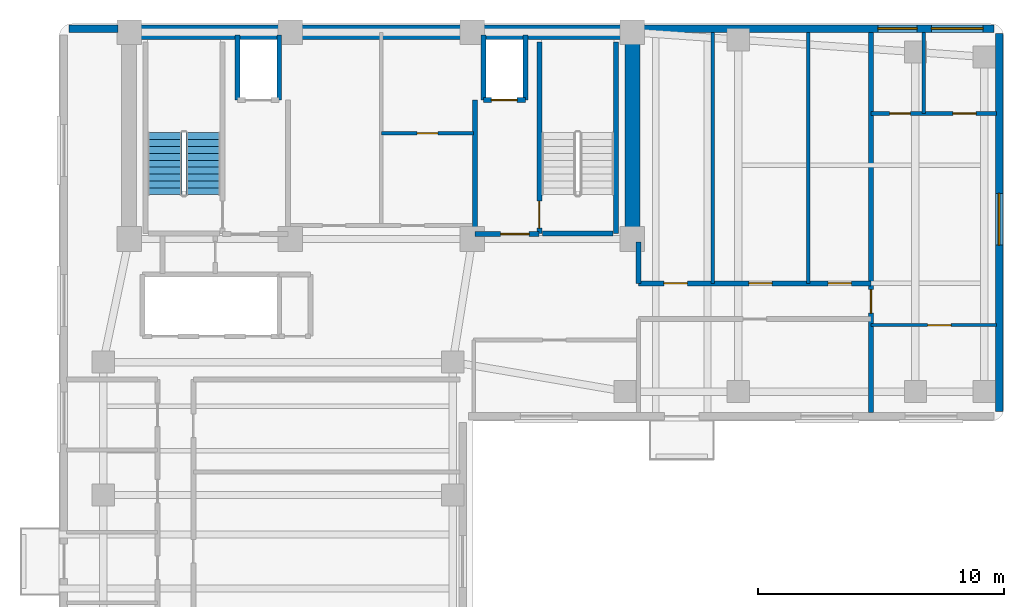
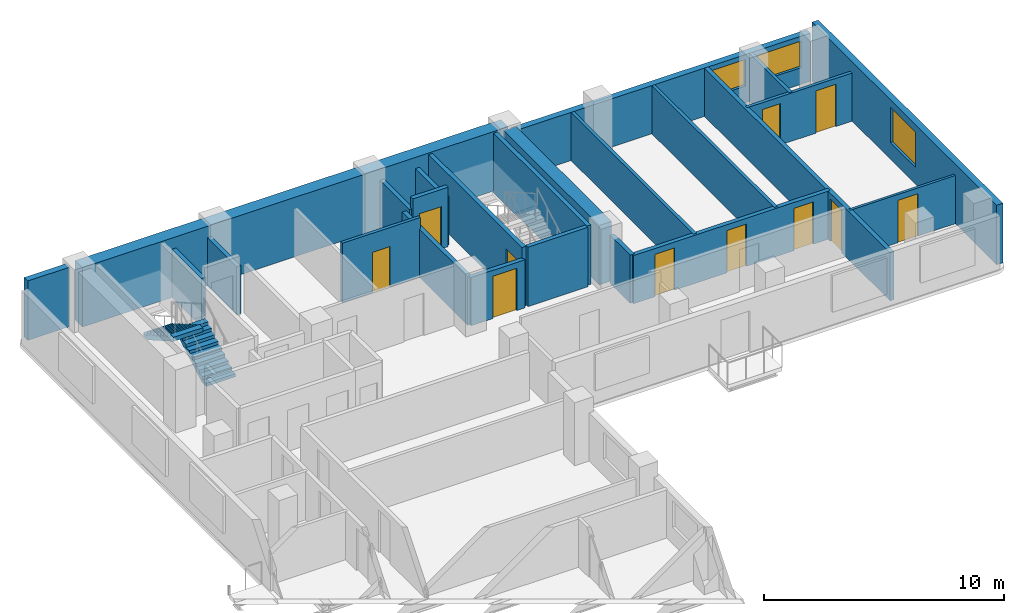
# One storey, part 4 of 7: 24 walls, 11 doors, 3 windows, 2 stair flights, 14 openings, 1 element without a shape of its own.
"""IFC4 building model written with IfcOpenShell, lengths in metres."""

import ifcopenshell
import ifcopenshell.guid

model = None  # the IFC model being written
_history = None  # IfcOwnerHistory: only IFC2X3 demands one
_inside = {}  # id of a spatial element -> (the spatial element, [elements in it])
_under = {}  # id of a project, library or spatial element -> (it, [spatial elements below it])
_declared = {}  # id of a project -> (the project, [libraries it declares])
_typed = {}  # id of a type object -> (the type object, [elements of that type])
_made_of = {}  # id of a material, layer set ... -> (it, [elements and type objects made of it])


def new_model(schema):
    """Start an empty IFC model of exactly this schema.

    Asked for "IFC4X3", IfcOpenShell would pick the latest addendum, in which some entities
    have other attributes; the version numbers below select the first issue.
    IFC2X3 requires an IfcOwnerHistory on every rooted entity: one is made here for all.
    """
    global model, _history
    if schema == "IFC4X3":
        model = ifcopenshell.file(schema_version=(4, 3, 0, 0))
    else:
        model = ifcopenshell.file(schema=schema)
    _inside.clear()
    _under.clear()
    _declared.clear()
    _typed.clear()
    _made_of.clear()
    _history = None
    if model.schema == "IFC2X3":
        org = make("IfcOrganization", Name="unknown")
        user = make(
            "IfcPersonAndOrganization",
            ThePerson=make("IfcPerson", FamilyName="unknown"),
            TheOrganization=org,
        )
        app = make(
            "IfcApplication",
            ApplicationDeveloper=org,
            Version="unknown",
            ApplicationFullName="unknown",
            ApplicationIdentifier="unknown",
        )
        _history = make(
            "IfcOwnerHistory",
            OwningUser=user,
            OwningApplication=app,
            ChangeAction="ADDED",
            CreationDate=0,
        )
    return model


def make(cls, **values):
    """One entity of the class cls with the attributes given. An attribute that is None is left unset."""
    return model.create_entity(
        cls, **{name: value for name, value in values.items() if value is not None}
    )


def rooted(cls, **values):
    """An entity with a GlobalId (a new one), such as an element, a storey or a relation."""
    return make(cls, GlobalId=ifcopenshell.guid.new(), OwnerHistory=_history, **values)


def si_unit(unit_type, name, prefix=None):
    """IfcSIUnit, for example si_unit("LENGTHUNIT", "METRE", prefix="MILLI")."""
    return make("IfcSIUnit", UnitType=unit_type, Prefix=prefix, Name=name)


def assignment(units):
    """IfcUnitAssignment: the units of a project."""
    return None if units is None else make("IfcUnitAssignment", Units=units)


def point(xyz):
    """IfcCartesianPoint."""
    return None if xyz is None else make("IfcCartesianPoint", Coordinates=xyz)


def direction(xyz):
    """IfcDirection."""
    return None if xyz is None else make("IfcDirection", DirectionRatios=xyz)


def frame(location, z_axis=None, x_axis=None):
    """IfcAxis2Placement3D, a coordinate frame: its origin and axes. An axis left out is left unset."""
    return make(
        "IfcAxis2Placement3D",
        Location=point(location),
        Axis=direction(z_axis),
        RefDirection=direction(x_axis),
    )


def frame_2d(location, x_axis=None):
    """IfcAxis2Placement2D, a coordinate frame in the plane: its origin and x axis."""
    return make(
        "IfcAxis2Placement2D", Location=point(location), RefDirection=direction(x_axis)
    )


def origin():
    """The frame at (0, 0, 0) with its axes left unset."""
    return frame((0.0, 0.0, 0.0))


def place(relative_to, where):
    """IfcLocalPlacement: puts the frame where relative to a parent placement (None: the world)."""
    return make(
        "IfcLocalPlacement", PlacementRelTo=relative_to, RelativePlacement=where
    )


def context(
    kind, dimensions, precision=None, world=None, true_north=None, identifier=None
):
    """IfcGeometricRepresentationContext, for example the 3D "Model" context."""
    return make(
        "IfcGeometricRepresentationContext",
        ContextIdentifier=identifier,
        ContextType=kind,
        CoordinateSpaceDimension=dimensions,
        Precision=precision,
        WorldCoordinateSystem=world,
        TrueNorth=true_north,
    )


def subcontext(parent, identifier, kind, view, scale=None):
    """IfcGeometricRepresentationSubContext, for example "Body" below "Model"."""
    return make(
        "IfcGeometricRepresentationSubContext",
        ContextIdentifier=identifier,
        ContextType=kind,
        ParentContext=parent,
        TargetScale=scale,
        TargetView=view,
    )


def project(units=None, contexts=None):
    """IfcProject with its units and contexts."""
    return rooted(
        "IfcProject",
        Name="project",
        RepresentationContexts=contexts,
        UnitsInContext=assignment(units),
    )


def spatial(cls, under=None, at=None, **own):
    """A site, building, storey or space (cls), placed at a placement, below another one or the project."""
    s = rooted(cls, ObjectPlacement=at, **own)
    if under is not None:
        _under.setdefault(under.id(), (under, []))[1].append(s)
    return s


def polyline(points):
    """IfcPolyline through the points."""
    return make("IfcPolyline", Points=[point(p) for p in points])


def profile(cls, at=None, kind="AREA", **sizes):
    """A parametric profile (cls). Its sizes go by their IFC names, for example OverallWidth=200.0."""
    return make(cls, ProfileType=kind, Position=at, **sizes)


def rectangle(**sizes):
    """IfcRectangleProfileDef."""
    return profile("IfcRectangleProfileDef", **sizes)


def outline(outer, holes=None, kind="AREA"):
    """IfcArbitraryClosedProfileDef: a profile drawn as a closed curve; with holes, ...WithVoids."""
    if holes is None:
        return make("IfcArbitraryClosedProfileDef", ProfileType=kind, OuterCurve=outer)
    return make(
        "IfcArbitraryProfileDefWithVoids",
        ProfileType=kind,
        OuterCurve=outer,
        InnerCurves=holes,
    )


def extrude(swept, where, along, depth):
    """IfcExtrudedAreaSolid: the profile swept, set in the frame where, extruded along a direction by depth."""
    return make(
        "IfcExtrudedAreaSolid",
        SweptArea=swept,
        Position=where,
        ExtrudedDirection=direction(along),
        Depth=depth,
    )


def shape(context_of_items, identifier, shape_type, items):
    """IfcShapeRepresentation: the items that make up one representation, for example the "Body"."""
    return make(
        "IfcShapeRepresentation",
        ContextOfItems=context_of_items,
        RepresentationIdentifier=identifier,
        RepresentationType=shape_type,
        Items=items,
    )


def material(Name=None, Category=None):
    """IfcMaterial."""
    return make("IfcMaterial", Name=Name, Category=Category)


def layer(
    of_material, thickness, ventilated=None, Name=None, Category=None, Priority=None
):
    """IfcMaterialLayer: one layer of a wall or slab, of a material (None: an air gap)."""
    return make(
        "IfcMaterialLayer",
        Material=of_material,
        LayerThickness=thickness,
        IsVentilated=ventilated,
        Name=Name,
        Category=Category,
        Priority=Priority,
    )


def layer_set(layers, Name=None):
    """IfcMaterialLayerSet."""
    return make("IfcMaterialLayerSet", MaterialLayers=layers, LayerSetName=Name)


def made_of(thing, what):
    """Note that an element or type object is made of a material, layer set ...; save() writes the relation."""
    if what is not None:
        _made_of.setdefault(what.id(), (what, []))[1].append(thing)
    return thing


def type_object(cls, material=None, **own):
    """A type object (cls), such as IfcWallType, which elements share."""
    return made_of(rooted(cls, **own), material)


def element(
    cls,
    number,
    at=None,
    inside=None,
    cuts=None,
    type_object=None,
    material=None,
    context=None,
    identifier="Body",
    shape_type=None,
    held_by="IfcProductDefinitionShape",
    body=None,
    shapes=None,
    **own,
):
    """One element of the class cls, such as IfcWall. Its Tag is "e" and its number.

    at: its placement. inside: the storey or other place that contains it. cuts: it is an
    opening in that element (IfcRelVoidsElement). A single representation is given by context,
    identifier, shape_type and body (its items); several are given by shapes. held_by: the class
    of the entity that holds the representations. save() writes the other relations.
    """
    e = rooted(cls, Tag="e%d" % number, ObjectPlacement=at, **own)
    if body is not None:
        shapes = [shape(context, identifier, shape_type, body)]
    if shapes is not None:
        e.Representation = make(held_by, Representations=shapes)
    if inside is not None:
        _inside.setdefault(inside.id(), (inside, []))[1].append(e)
    if cuts is not None:
        rooted(
            "IfcRelVoidsElement", RelatingBuildingElement=cuts, RelatedOpeningElement=e
        )
    if type_object is not None:
        _typed.setdefault(type_object.id(), (type_object, []))[1].append(e)
    return made_of(e, material)


def fill(opening, filler):
    """IfcRelFillsElement: the door or window that sits in an opening."""
    return rooted(
        "IfcRelFillsElement",
        RelatingOpeningElement=opening,
        RelatedBuildingElement=filler,
    )


def aggregate(whole, parts):
    """IfcRelAggregates: a whole, such as a stair, and the parts it consists of."""
    return rooted("IfcRelAggregates", RelatingObject=whole, RelatedObjects=parts)


def save(model, path):
    """Write the relations noted so far, then the file.

    IfcRelAggregates (storeys below a building ...), IfcRelContainedInSpatialStructure (elements
    in a storey), IfcRelDefinesByType, IfcRelAssociatesMaterial and IfcRelDeclares: one each for
    every whole, place, type object, material and project.
    """
    for whole, parts in _under.values():
        aggregate(whole, parts)
    for where, things in _inside.values():
        rooted(
            "IfcRelContainedInSpatialStructure",
            RelatedElements=things,
            RelatingStructure=where,
        )
    for kind, things in _typed.values():
        rooted("IfcRelDefinesByType", RelatedObjects=things, RelatingType=kind)
    for what, things in _made_of.values():
        rooted("IfcRelAssociatesMaterial", RelatedObjects=things, RelatingMaterial=what)
    for by, libraries in _declared.values():
        rooted("IfcRelDeclares", RelatingContext=by, RelatedDefinitions=libraries)
    model.write(path)


model = new_model("IFC4")

# Units and contexts
model_context = context("Model", 3, precision=1e-05, world=origin(), true_north=direction((0.0, 1.0)))
body_context = subcontext(model_context, "Body", "Model", "MODEL_VIEW")
ifc_project = project(units=[si_unit("LENGTHUNIT", "METRE"), si_unit("AREAUNIT", "SQUARE_METRE"), si_unit("VOLUMEUNIT", "CUBIC_METRE"), si_unit("PLANEANGLEUNIT", "RADIAN"), si_unit("MASSUNIT", "GRAM", prefix="KILO")], contexts=[model_context])

# Site, building, storey
site_placement = place(None, origin())
site = spatial("IfcSite", under=ifc_project, at=site_placement, CompositionType="ELEMENT")
building_placement = place(site_placement, origin())
building = spatial("IfcBuilding", under=site, at=building_placement, Name="Kuzgunbayir Cultural Tower", CompositionType="ELEMENT")
storey_placement = place(building_placement, frame((0.0, 0.0, 179.199951171875)))
storey = spatial("IfcBuildingStorey", under=building, at=storey_placement, Name="L52", CompositionType="ELEMENT", Elevation=179.199951171875)

# Walls
ifc_material_1 = material(Name="Concrete C60/75", Category="concrete")
ifc_layer_1 = layer(ifc_material_1, 0.60009765625)
ifc_layer_set_1 = layer_set([ifc_layer_1], Name="Concrete C60/75")
wall_type_1 = type_object("IfcWallType", Name="WAL-CORE-600", PredefinedType="SHEAR", material=ifc_layer_set_1)
wall_1_placement = place(storey_placement, frame((6.449951171875, 42.199951171875, 0.0), z_axis=(0.0, 0.0, 1.0), x_axis=(1.0, 0.0, 0.0)))
element("IfcWall", 1, at=wall_1_placement, inside=storey, type_object=wall_type_1, Name="L52 T1 Core North Shear Wall", PredefinedType="SHEAR", context=body_context, shape_type="SweptSolid", body=[
    extrude(rectangle(XDim=20.449951171875, YDim=0.60009765625, at=frame_2d((10.22509765625, 0.0))), origin(), (0.0, 0.0, 1.0), 3.02001953125),
])
wall_2_placement = place(storey_placement, frame((26.89990234375, 33.800048828125, 0.0), z_axis=(0.0, 0.0, 1.0), x_axis=(0.0, 1.0, 0.0)))
element("IfcWall", 2, at=wall_2_placement, inside=storey, type_object=wall_type_1, Name="L52 T1 Core East Shear Wall", PredefinedType="SHEAR", context=body_context, shape_type="SweptSolid", body=[
    extrude(rectangle(XDim=7.949951171875, YDim=0.60009765625, at=frame_2d((3.97509765625, 0.0))), origin(), (0.0, 0.0, 1.0), 3.02001953125),
])

# Wall, openings, windows
ifc_material_2 = material(Name="Anatolian Cream Limestone", Category="masonry")
ifc_layer_2 = layer(ifc_material_2, 0.300048828125)
ifc_layer_set_2 = layer_set([ifc_layer_2], Name="Anatolian Cream Limestone")
wall_type_2 = type_object("IfcWallType", Name="WAL-EXT-STONE-300", PredefinedType="STANDARD", material=ifc_layer_set_2)
wall_3_placement = place(storey_placement, frame((41.60009765625, 42.35009765625, 0.0), z_axis=(0.0, 0.0, 1.0), x_axis=(-1.0, 0.0, 0.0)))
wall_3 = element("IfcWall", 3, at=wall_3_placement, inside=storey, type_object=wall_type_2, Name="L52 North Wing B Limestone Wall", PredefinedType="STANDARD", context=body_context, shape_type="SweptSolid", body=[
    extrude(rectangle(XDim=14.25, YDim=0.300048828125, at=frame_2d((7.125, 0.0))), origin(), (0.0, 0.0, 1.0), 2.449951171875),
])
opening_1_placement = place(wall_3_placement, frame((3.1298828125, 0.0, 0.85009765625)))
opening_1 = element("IfcOpeningElement", 4, at=opening_1_placement, cuts=wall_3, Name="Opening WC-16", PredefinedType="OPENING", context=body_context, shape_type="SweptSolid", body=[
    extrude(rectangle(XDim=1.60009765625, YDim=1.35009765625, at=frame_2d((0.800048828125, 0.675048828125))), frame((0.0, 0.16015625, 0.0), z_axis=(0.0, -1.0, 0.0), x_axis=(1.0, 0.0, 0.0)), (0.0, 0.0, 1.0), 0.320068359375),
])
opening_2_placement = place(wall_3_placement, frame((0.449951171875, 0.0, 0.85009765625)))
opening_2 = element("IfcOpeningElement", 5, at=opening_2_placement, cuts=wall_3, Name="Opening WR-21", PredefinedType="OPENING", context=body_context, shape_type="SweptSolid", body=[
    extrude(rectangle(XDim=2.10009765625, YDim=1.35009765625, at=frame_2d((1.050048828125, 0.675048828125))), frame((0.0, 0.16015625, 0.0), z_axis=(0.0, -1.0, 0.0), x_axis=(1.0, 0.0, 0.0)), (0.0, 0.0, 1.0), 0.320068359375),
])
ifc_material_3 = material(Name="Solar-Control Triple Glazing", Category="glass")
window_type_1 = type_object("IfcWindowType", Name="WIN-COMP-16", PartitioningType="SINGLE_PANEL", PredefinedType="WINDOW", material=ifc_material_3)
window_1_placement = place(opening_1_placement, origin())
window_1 = element("IfcWindow", 6, at=window_1_placement, inside=storey, type_object=window_type_1, Name="L52 CRN Facade Window 7", OverallHeight=1.35009765625, OverallWidth=1.60009765625, PartitioningType="SINGLE_PANEL", PredefinedType="WINDOW", context=body_context, shape_type="SweptSolid", body=[
    extrude(rectangle(XDim=1.60009765625, YDim=1.35009765625, at=frame_2d((0.800048828125, 0.675048828125))), frame((0.0, 0.030029296875, 0.0), z_axis=(0.0, -1.0, 0.0), x_axis=(1.0, 0.0, 0.0)), (0.0, 0.0, 1.0), 0.06005859375),
])
fill(opening_1, window_1)
window_type_2 = type_object("IfcWindowType", Name="WIN-RESID-21", PartitioningType="SINGLE_PANEL", PredefinedType="WINDOW", material=ifc_material_3)
window_2_placement = place(opening_2_placement, origin())
window_2 = element("IfcWindow", 7, at=window_2_placement, inside=storey, type_object=window_type_2, Name="L52 CRN Facade Window 8", OverallHeight=1.35009765625, OverallWidth=2.10009765625, PartitioningType="SINGLE_PANEL", PredefinedType="WINDOW", context=body_context, shape_type="SweptSolid", body=[
    extrude(rectangle(XDim=2.10009765625, YDim=1.35009765625, at=frame_2d((1.050048828125, 0.675048828125))), frame((0.0, 0.030029296875, 0.0), z_axis=(0.0, -1.0, 0.0), x_axis=(1.0, 0.0, 0.0)), (0.0, 0.0, 1.0), 0.06005859375),
])
fill(opening_2, window_2)

# Wall
wall_4_placement = place(storey_placement, frame((6.0, 42.35009765625, 0.0), z_axis=(0.0, 0.0, 1.0), x_axis=(-1.0, 0.0, 0.0)))
element("IfcWall", 8, at=wall_4_placement, inside=storey, type_object=wall_type_2, Name="L52 Core North-West Spandrel Link", PredefinedType="STANDARD", context=body_context, shape_type="SweptSolid", body=[
    extrude(rectangle(XDim=2.0, YDim=0.300048828125, at=frame_2d((1.0, 0.0))), origin(), (0.0, 0.0, 1.0), 3.02001953125),
])

# Wall, opening, window
wall_5_placement = place(storey_placement, frame((41.800048828125, 26.800048828125, 0.0), z_axis=(0.0, 0.0, 1.0), x_axis=(0.0, 1.0, 0.0)))
wall_5 = element("IfcWall", 9, at=wall_5_placement, inside=storey, type_object=wall_type_2, Name="L52 Wing B East Limestone Wall", PredefinedType="STANDARD", context=body_context, shape_type="SweptSolid", body=[
    extrude(rectangle(XDim=15.349853515625, YDim=0.300048828125, at=frame_2d((7.6748046875, 0.0))), origin(), (0.0, 0.0, 1.0), 3.02001953125),
])
opening_3_placement = place(wall_5_placement, frame((6.75, 0.0, 0.85009765625)))
opening_3 = element("IfcOpeningElement", 10, at=opening_3_placement, cuts=wall_5, Name="Opening WR-21", PredefinedType="OPENING", context=body_context, shape_type="SweptSolid", body=[
    extrude(rectangle(XDim=2.10009765625, YDim=1.800048828125, at=frame_2d((1.050048828125, 0.89990234375))), frame((0.0, 0.16015625, 0.0), z_axis=(0.0, -1.0, 0.0), x_axis=(1.0, 0.0, 0.0)), (0.0, 0.0, 1.0), 0.320068359375),
])
window_3_placement = place(opening_3_placement, origin())
window_3 = element("IfcWindow", 11, at=window_3_placement, inside=storey, type_object=window_type_2, Name="L52 WBE Facade Window 5", OverallHeight=1.800048828125, OverallWidth=2.10009765625, PartitioningType="SINGLE_PANEL", PredefinedType="WINDOW", context=body_context, shape_type="SweptSolid", body=[
    extrude(rectangle(XDim=2.10009765625, YDim=1.800048828125, at=frame_2d((1.050048828125, 0.89990234375))), frame((0.0, 0.030029296875, 0.0), z_axis=(0.0, -1.0, 0.0), x_axis=(1.0, 0.0, 0.0)), (0.0, 0.0, 1.0), 0.06005859375),
])
fill(opening_3, window_3)

# Wall, opening, door
ifc_material_4 = material(Name="Acoustic Double-Stud Drywall", Category="gypsum")
ifc_layer_3 = layer(ifc_material_4, 0.14990234375)
ifc_layer_set_3 = layer_set([ifc_layer_3], Name="Acoustic Double-Stud Drywall")
wall_type_3 = type_object("IfcWallType", Name="WAL-PART-ACOUSTIC-150", PredefinedType="PARTITIONING", material=ifc_layer_set_3)
wall_6_placement = place(storey_placement, frame((16.699951171875, 38.10009765625, 0.0), z_axis=(0.0, 0.0, 1.0), x_axis=(1.0, 0.0, 0.0)))
wall_6 = element("IfcWall", 12, at=wall_6_placement, inside=storey, type_object=wall_type_3, Name="L52 Sky Core Store Divider", PredefinedType="PARTITIONING", context=body_context, shape_type="SweptSolid", body=[
    extrude(rectangle(XDim=3.75, YDim=0.14990234375, at=frame_2d((1.875, 0.0))), origin(), (0.0, 0.0, 1.0), 3.02001953125),
])
opening_4_placement = place(wall_6_placement, frame((1.449951171875, 0.0, 0.0)))
opening_4 = element("IfcOpeningElement", 13, at=opening_4_placement, cuts=wall_6, Name="Opening DC-85", PredefinedType="OPENING", context=body_context, shape_type="SweptSolid", body=[
    extrude(rectangle(XDim=0.85009765625, YDim=2.050048828125, at=frame_2d((0.425048828125, 1.02490234375))), frame((0.0, 0.0849609375, 0.0), z_axis=(0.0, -1.0, 0.0), x_axis=(1.0, 0.0, 0.0)), (0.0, 0.0, 1.0), 0.169921875),
])
ifc_material_5 = material(Name="Fire-Rated Veneered Oak Leaf", Category="wood")
door_type_1 = type_object("IfcDoorType", Name="DR-CORE-85", OperationType="NOTDEFINED", PredefinedType="DOOR", material=ifc_material_5)
door_1_placement = place(opening_4_placement, origin())
door_1 = element("IfcDoor", 14, at=door_1_placement, inside=storey, type_object=door_type_1, Name="L52 Core Electrical Store Door", OperationType="SINGLE_SWING_RIGHT", OverallHeight=2.050048828125, OverallWidth=0.85009765625, PredefinedType="DOOR", context=body_context, shape_type="SweptSolid", body=[
    extrude(rectangle(XDim=0.85009765625, YDim=2.050048828125, at=frame_2d((0.425048828125, 1.02490234375))), frame((0.0, 0.02490234375, 0.0), z_axis=(0.0, -1.0, 0.0), x_axis=(1.0, 0.0, 0.0)), (0.0, 0.0, 1.0), 0.050048828125),
])
fill(opening_4, door_1)

# Walls
for number, where, z_axis, x_axis, name in (
    (15, (30.169921875, 32.0, 0.0), (0.0, 0.0, 1.0), (0.0, 1.0, 0.0), "L52 Wing B North Divider 1"),
    (16, (34.050048828125, 32.0, 0.0), (0.0, 0.0, 1.0), (0.0, 1.0, 0.0), "L52 Wing B North Divider 2"),
):
    element("IfcWall", number, at=place(storey_placement, frame(where, z_axis=z_axis, x_axis=x_axis)), inside=storey, type_object=wall_type_3, Name=name, PredefinedType="PARTITIONING", context=body_context, shape_type="SweptSolid", body=[
        extrude(rectangle(XDim=10.199951171875, YDim=0.14990234375, at=frame_2d((5.10009765625, 0.0))), origin(), (0.0, 0.0, 1.0), 2.449951171875),
    ])
ifc_material_6 = material(Name="Aerated Concrete Blockwork", Category="masonry")
ifc_layer_4 = layer(ifc_material_6, 0.199951171875)
ifc_layer_set_4 = layer_set([ifc_layer_4], Name="Aerated Concrete Blockwork")
wall_type_4 = type_object("IfcWallType", Name="WAL-PART-FIRE-200", PredefinedType="PARTITIONING", material=ifc_layer_set_4)
wall_7_placement = place(storey_placement, frame((20.5, 34.0, 0.0), z_axis=(0.0, 0.0, 1.0), x_axis=(0.0, 1.0, 0.0)))
element("IfcWall", 17, at=wall_7_placement, inside=storey, type_object=wall_type_4, Name="L52 FFL-2 Lobby West Fire Wall", PredefinedType="PARTITIONING", context=body_context, shape_type="SweptSolid", body=[
    extrude(rectangle(XDim=5.449951171875, YDim=0.199951171875, at=frame_2d((2.72509765625, 0.0))), origin(), (0.0, 0.0, 1.0), 2.449951171875),
])

# Wall, opening, door
wall_8_placement = place(storey_placement, frame((20.5, 34.0, 0.0), z_axis=(0.0, 0.0, 1.0), x_axis=(1.0, 0.0, 0.0)))
wall_8 = element("IfcWall", 18, at=wall_8_placement, inside=storey, type_object=wall_type_4, Name="L52 FFL-2 Lobby South Fire Wall", PredefinedType="PARTITIONING", context=body_context, shape_type="SweptSolid", body=[
    extrude(rectangle(XDim=2.60009765625, YDim=0.199951171875, at=frame_2d((1.300048828125, 0.0))), origin(), (0.0, 0.0, 1.0), 2.449951171875),
])
opening_5_placement = place(wall_8_placement, frame((1.050048828125, 0.0, 0.0)))
opening_5 = element("IfcOpeningElement", 19, at=opening_5_placement, cuts=wall_8, Name="Opening DR-FFL-90", PredefinedType="OPENING", context=body_context, shape_type="SweptSolid", body=[
    extrude(rectangle(XDim=1.14990234375, YDim=2.14990234375, at=frame_2d((0.574951171875, 1.074951171875))), frame((0.0, 0.10986328125, 0.0), z_axis=(0.0, -1.0, 0.0), x_axis=(1.0, 0.0, 0.0)), (0.0, 0.0, 1.0), 0.219970703125),
])
ifc_material_7 = material(Name="Steel S355J2", Category="steel")
door_type_2 = type_object("IfcDoorType", Name="DR-FFL-90", OperationType="NOTDEFINED", PredefinedType="DOOR", material=ifc_material_7)
door_2_placement = place(opening_5_placement, origin())
door_2 = element("IfcDoor", 20, at=door_2_placement, inside=storey, type_object=door_type_2, Name="L52 Firefighting Lobby 2 Door", OperationType="SINGLE_SWING_LEFT", OverallHeight=2.14990234375, OverallWidth=1.14990234375, PredefinedType="DOOR", context=body_context, shape_type="SweptSolid", body=[
    extrude(rectangle(XDim=1.14990234375, YDim=2.14990234375, at=frame_2d((0.574951171875, 1.074951171875))), frame((0.0, 0.02490234375, 0.0), z_axis=(0.0, -1.0, 0.0), x_axis=(1.0, 0.0, 0.0)), (0.0, 0.0, 1.0), 0.050048828125),
])
fill(opening_5, door_2)

# Wall, openings, doors
wall_9_placement = place(storey_placement, frame((27.14990234375, 32.0, 0.0), z_axis=(0.0, 0.0, 1.0), x_axis=(1.0, 0.0, 0.0)))
wall_9 = element("IfcWall", 21, at=wall_9_placement, inside=storey, type_object=wall_type_4, Name="L52 Wing B Residence Corridor North Wall", PredefinedType="PARTITIONING", context=body_context, shape_type="SweptSolid", body=[
    extrude(rectangle(XDim=9.4501953125, YDim=0.199951171875, at=frame_2d((4.72509765625, 0.0))), origin(), (0.0, 0.0, 1.0), 2.449951171875),
])
opening_6_placement = place(wall_9_placement, frame((1.030029296875, 0.0, 0.0)))
opening_6 = element("IfcOpeningElement", 22, at=opening_6_placement, cuts=wall_9, Name="Opening DI-90", PredefinedType="OPENING", context=body_context, shape_type="SweptSolid", body=[
    extrude(rectangle(XDim=0.949951171875, YDim=2.14990234375, at=frame_2d((0.47509765625, 1.074951171875))), frame((0.0, 0.10986328125, 0.0), z_axis=(0.0, -1.0, 0.0), x_axis=(1.0, 0.0, 0.0)), (0.0, 0.0, 1.0), 0.219970703125),
])
opening_7_placement = place(wall_9_placement, frame((4.47998046875, 0.0, 0.0)))
opening_7 = element("IfcOpeningElement", 23, at=opening_7_placement, cuts=wall_9, Name="Opening DI-90", PredefinedType="OPENING", context=body_context, shape_type="SweptSolid", body=[
    extrude(rectangle(XDim=0.949951171875, YDim=2.14990234375, at=frame_2d((0.47509765625, 1.074951171875))), frame((0.0, 0.10986328125, 0.0), z_axis=(0.0, -1.0, 0.0), x_axis=(1.0, 0.0, 0.0)), (0.0, 0.0, 1.0), 0.219970703125),
])
opening_8_placement = place(wall_9_placement, frame((7.699951171875, 0.0, 0.0)))
opening_8 = element("IfcOpeningElement", 24, at=opening_8_placement, cuts=wall_9, Name="Opening DI-90", PredefinedType="OPENING", context=body_context, shape_type="SweptSolid", body=[
    extrude(rectangle(XDim=0.949951171875, YDim=2.14990234375, at=frame_2d((0.47509765625, 1.074951171875))), frame((0.0, 0.10986328125, 0.0), z_axis=(0.0, -1.0, 0.0), x_axis=(1.0, 0.0, 0.0)), (0.0, 0.0, 1.0), 0.219970703125),
])
ifc_material_8 = material(Name="Veneered Oak Single Leaf", Category="wood")
door_type_3 = type_object("IfcDoorType", Name="DR-INT-90", OperationType="NOTDEFINED", PredefinedType="DOOR", material=ifc_material_8)
door_3_placement = place(opening_6_placement, origin())
door_3 = element("IfcDoor", 25, at=door_3_placement, inside=storey, type_object=door_type_3, Name="L52 Residents Fellows Reading Lounge 1 Door", OperationType="SINGLE_SWING_RIGHT", OverallHeight=2.14990234375, OverallWidth=0.949951171875, PredefinedType="DOOR", context=body_context, shape_type="SweptSolid", body=[
    extrude(rectangle(XDim=0.949951171875, YDim=2.14990234375, at=frame_2d((0.47509765625, 1.074951171875))), frame((0.0, 0.02490234375, 0.0), z_axis=(0.0, -1.0, 0.0), x_axis=(1.0, 0.0, 0.0)), (0.0, 0.0, 1.0), 0.050048828125),
])
fill(opening_6, door_3)
door_4_placement = place(opening_7_placement, origin())
door_4 = element("IfcDoor", 26, at=door_4_placement, inside=storey, type_object=door_type_3, Name="L52 Residents Curatorial Office 2 Door", OperationType="SINGLE_SWING_LEFT", OverallHeight=2.14990234375, OverallWidth=0.949951171875, PredefinedType="DOOR", context=body_context, shape_type="SweptSolid", body=[
    extrude(rectangle(XDim=0.949951171875, YDim=2.14990234375, at=frame_2d((0.47509765625, 1.074951171875))), frame((0.0, 0.02490234375, 0.0), z_axis=(0.0, -1.0, 0.0), x_axis=(1.0, 0.0, 0.0)), (0.0, 0.0, 1.0), 0.050048828125),
])
fill(opening_7, door_4)
door_5_placement = place(opening_8_placement, origin())
door_5 = element("IfcDoor", 27, at=door_5_placement, inside=storey, type_object=door_type_3, Name="L52 Residents Seminar Boardroom 3 Door", OperationType="SINGLE_SWING_RIGHT", OverallHeight=2.14990234375, OverallWidth=0.949951171875, PredefinedType="DOOR", context=body_context, shape_type="SweptSolid", body=[
    extrude(rectangle(XDim=0.949951171875, YDim=2.14990234375, at=frame_2d((0.47509765625, 1.074951171875))), frame((0.0, 0.02490234375, 0.0), z_axis=(0.0, -1.0, 0.0), x_axis=(1.0, 0.0, 0.0)), (0.0, 0.0, 1.0), 0.050048828125),
])
fill(opening_8, door_5)

# Wall
wall_10_placement = place(storey_placement, frame((27.14990234375, 32.0, 0.0), z_axis=(0.0, 0.0, 1.0), x_axis=(0.0, 1.0, 0.0)))
element("IfcWall", 28, at=wall_10_placement, inside=storey, type_object=wall_type_4, Name="L52 Wing B Residence North Core Closure Wall", PredefinedType="PARTITIONING", context=body_context, shape_type="SweptSolid", body=[
    extrude(rectangle(XDim=1.679931640625, YDim=0.199951171875, at=frame_2d((0.83984375, 0.0))), origin(), (0.0, 0.0, 1.0), 2.449951171875),
])

# Wall, opening, door
wall_11_placement = place(storey_placement, frame((36.60009765625, 26.75, 0.0), z_axis=(0.0, 0.0, 1.0), x_axis=(0.0, 1.0, 0.0)))
wall_11 = element("IfcWall", 29, at=wall_11_placement, inside=storey, type_object=wall_type_4, Name="L52 Apartment D Party Wall", PredefinedType="PARTITIONING", context=body_context, shape_type="SweptSolid", body=[
    extrude(rectangle(XDim=15.449951171875, YDim=0.199951171875, at=frame_2d((7.72509765625, 0.0))), origin(), (0.0, 0.0, 1.0), 2.449951171875),
])
opening_9_placement = place(wall_11_placement, frame((4.0400390625, 0.0, 0.0)))
opening_9 = element("IfcOpeningElement", 30, at=opening_9_placement, cuts=wall_11, Name="Opening DR-APT-60", PredefinedType="OPENING", context=body_context, shape_type="SweptSolid", body=[
    extrude(rectangle(XDim=0.949951171875, YDim=2.14990234375, at=frame_2d((0.47509765625, 1.074951171875))), frame((0.0, 0.10986328125, 0.0), z_axis=(0.0, -1.0, 0.0), x_axis=(1.0, 0.0, 0.0)), (0.0, 0.0, 1.0), 0.219970703125),
])
ifc_material_9 = material(Name="Acoustic Fire Timber Leaf", Category="wood")
door_type_4 = type_object("IfcDoorType", Name="DR-APT-60", OperationType="NOTDEFINED", PredefinedType="DOOR", material=ifc_material_9)
door_6_placement = place(opening_9_placement, origin())
door_6 = element("IfcDoor", 31, at=door_6_placement, inside=storey, type_object=door_type_4, Name="L52 Apartment D Entrance", OperationType="SINGLE_SWING_LEFT", OverallHeight=2.14990234375, OverallWidth=0.949951171875, PredefinedType="DOOR", context=body_context, shape_type="SweptSolid", body=[
    extrude(rectangle(XDim=0.949951171875, YDim=2.14990234375, at=frame_2d((0.47509765625, 1.074951171875))), frame((0.0, 0.02490234375, 0.0), z_axis=(0.0, -1.0, 0.0), x_axis=(1.0, 0.0, 0.0)), (0.0, 0.0, 1.0), 0.050048828125),
])
fill(opening_9, door_6)

ifc_material_10 = material(Name="Framed Gypsum Partition", Category="gypsum")
ifc_layer_5 = layer(ifc_material_10, 0.1201171875)
ifc_layer_set_5 = layer_set([ifc_layer_5], Name="Framed Gypsum Partition")
wall_type_5 = type_object("IfcWallType", Name="WAL-PART-INT-120", PredefinedType="PARTITIONING", material=ifc_layer_set_5)
wall_12_placement = place(storey_placement, frame((36.60009765625, 30.300048828125, 0.0), z_axis=(0.0, 0.0, 1.0), x_axis=(1.0, 0.0, 0.0)))
wall_12 = element("IfcWall", 32, at=wall_12_placement, inside=storey, type_object=wall_type_5, Name="L52 Flat D Bedroom Wall", PredefinedType="PARTITIONING", context=body_context, shape_type="SweptSolid", body=[
    extrude(rectangle(XDim=5.099853515625, YDim=0.1201171875, at=frame_2d((2.5498046875, 0.0))), origin(), (0.0, 0.0, 1.0), 2.449951171875),
])
opening_10_placement = place(wall_12_placement, frame((2.300048828125, 0.0, 0.0)))
opening_10 = element("IfcOpeningElement", 33, at=opening_10_placement, cuts=wall_12, Name="Opening DI-90", PredefinedType="OPENING", context=body_context, shape_type="SweptSolid", body=[
    extrude(rectangle(XDim=0.949951171875, YDim=2.14990234375, at=frame_2d((0.47509765625, 1.074951171875))), frame((0.0, 0.070068359375, 0.0), z_axis=(0.0, -1.0, 0.0), x_axis=(1.0, 0.0, 0.0)), (0.0, 0.0, 1.0), 0.14013671875),
])
door_7_placement = place(opening_10_placement, origin())
door_7 = element("IfcDoor", 34, at=door_7_placement, inside=storey, type_object=door_type_3, Name="L52 Apartment D Bedroom Door", OperationType="SINGLE_SWING_RIGHT", OverallHeight=2.14990234375, OverallWidth=0.949951171875, PredefinedType="DOOR", context=body_context, shape_type="SweptSolid", body=[
    extrude(rectangle(XDim=0.949951171875, YDim=2.14990234375, at=frame_2d((0.47509765625, 1.074951171875))), frame((0.0, 0.02490234375, 0.0), z_axis=(0.0, -1.0, 0.0), x_axis=(1.0, 0.0, 0.0)), (0.0, 0.0, 1.0), 0.050048828125),
])
fill(opening_10, door_7)

# Wall, openings, doors
ifc_material_11 = material(Name="Moisture-Resistant Tile Partition", Category="gypsum")
ifc_layer_6 = layer(ifc_material_11, 0.14990234375)
ifc_layer_set_6 = layer_set([ifc_layer_6], Name="Moisture-Resistant Tile Partition")
wall_type_6 = type_object("IfcWallType", Name="WAL-PART-WET-150", PredefinedType="PARTITIONING", material=ifc_layer_set_6)
wall_13_placement = place(storey_placement, frame((36.60009765625, 38.89990234375, 0.0), z_axis=(0.0, 0.0, 1.0), x_axis=(1.0, 0.0, 0.0)))
wall_13 = element("IfcWall", 35, at=wall_13_placement, inside=storey, type_object=wall_type_6, Name="L52 Flat D Service Wall", PredefinedType="PARTITIONING", context=body_context, shape_type="SweptSolid", body=[
    extrude(rectangle(XDim=5.099853515625, YDim=0.14990234375, at=frame_2d((2.5498046875, 0.0))), origin(), (0.0, 0.0, 1.0), 2.449951171875),
])
opening_11_placement = place(wall_13_placement, frame((0.75, 0.0, 0.0)))
opening_11 = element("IfcOpeningElement", 36, at=opening_11_placement, cuts=wall_13, Name="Opening DW-85", PredefinedType="OPENING", context=body_context, shape_type="SweptSolid", body=[
    extrude(rectangle(XDim=0.85009765625, YDim=2.10009765625, at=frame_2d((0.425048828125, 1.050048828125))), frame((0.0, 0.0849609375, 0.0), z_axis=(0.0, -1.0, 0.0), x_axis=(1.0, 0.0, 0.0)), (0.0, 0.0, 1.0), 0.169921875),
])
opening_12_placement = place(wall_13_placement, frame((3.320068359375, 0.0, 0.0)))
opening_12 = element("IfcOpeningElement", 37, at=opening_12_placement, cuts=wall_13, Name="Opening DI-90", PredefinedType="OPENING", context=body_context, shape_type="SweptSolid", body=[
    extrude(rectangle(XDim=0.949951171875, YDim=2.14990234375, at=frame_2d((0.47509765625, 1.074951171875))), frame((0.0, 0.0849609375, 0.0), z_axis=(0.0, -1.0, 0.0), x_axis=(1.0, 0.0, 0.0)), (0.0, 0.0, 1.0), 0.169921875),
])
door_8_placement = place(opening_12_placement, origin())
door_8 = element("IfcDoor", 38, at=door_8_placement, inside=storey, type_object=door_type_3, Name="L52 Apartment D Kitchen Door", OperationType="SINGLE_SWING_RIGHT", OverallHeight=2.14990234375, OverallWidth=0.949951171875, PredefinedType="DOOR", context=body_context, shape_type="SweptSolid", body=[
    extrude(rectangle(XDim=0.949951171875, YDim=2.14990234375, at=frame_2d((0.47509765625, 1.074951171875))), frame((0.0, 0.02490234375, 0.0), z_axis=(0.0, -1.0, 0.0), x_axis=(1.0, 0.0, 0.0)), (0.0, 0.0, 1.0), 0.050048828125),
])
fill(opening_12, door_8)
ifc_material_12 = material(Name="Laminate Moisture-Resistant Leaf", Category="wood")
door_type_5 = type_object("IfcDoorType", Name="DR-WET-85", OperationType="NOTDEFINED", PredefinedType="DOOR", material=ifc_material_12)
door_9_placement = place(opening_11_placement, origin())
door_9 = element("IfcDoor", 39, at=door_9_placement, inside=storey, type_object=door_type_5, Name="L52 Apartment D Bathroom Door", OperationType="SINGLE_SWING_LEFT", OverallHeight=2.10009765625, OverallWidth=0.85009765625, PredefinedType="DOOR", context=body_context, shape_type="SweptSolid", body=[
    extrude(rectangle(XDim=0.85009765625, YDim=2.10009765625, at=frame_2d((0.425048828125, 1.050048828125))), frame((0.0, 0.02490234375, 0.0), z_axis=(0.0, -1.0, 0.0), x_axis=(1.0, 0.0, 0.0)), (0.0, 0.0, 1.0), 0.050048828125),
])
fill(opening_11, door_9)

# Wall
wall_14_placement = place(storey_placement, frame((38.739990234375, 38.89990234375, 0.0), z_axis=(0.0, 0.0, 1.0), x_axis=(0.0, 1.0, 0.0)))
element("IfcWall", 40, at=wall_14_placement, inside=storey, type_object=wall_type_6, Name="L52 Flat D Bath Divider", PredefinedType="PARTITIONING", context=body_context, shape_type="SweptSolid", body=[
    extrude(rectangle(XDim=3.300048828125, YDim=0.14990234375, at=frame_2d((1.64990234375, 0.0))), origin(), (0.0, 0.0, 1.0), 2.449951171875),
])

# Wall, opening, door
ifc_material_13 = material(Name="Concrete C40/50", Category="concrete")
ifc_layer_7 = layer(ifc_material_13, 0.199951171875)
ifc_layer_set_7 = layer_set([ifc_layer_7], Name="Concrete C40/50")
wall_type_7 = type_object("IfcWallType", Name="WAL-SHAFT-200", PredefinedType="MOVABLE", material=ifc_layer_set_7)
wall_15_placement = place(storey_placement, frame((20.85009765625, 39.449951171875, 0.0), z_axis=(0.0, 0.0, 1.0), x_axis=(1.0, 0.0, 0.0)))
wall_15 = element("IfcWall", 41, at=wall_15_placement, inside=storey, type_object=wall_type_7, Name="L52 FFL-2 Lift Front Wall", PredefinedType="MOVABLE", context=body_context, shape_type="SweptSolid", body=[
    extrude(rectangle(XDim=1.699951171875, YDim=0.199951171875, at=frame_2d((0.85009765625, 0.0))), origin(), (0.0, 0.0, 1.0), 3.02001953125),
])
opening_13_placement = place(wall_15_placement, frame((0.320068359375, 0.0, 0.0)))
opening_13 = element("IfcOpeningElement", 42, at=opening_13_placement, cuts=wall_15, Name="Opening LD", PredefinedType="OPENING", context=body_context, shape_type="SweptSolid", body=[
    extrude(rectangle(XDim=1.050048828125, YDim=2.14990234375, at=frame_2d((0.52490234375, 1.074951171875))), frame((0.0, 0.10986328125, 0.0), z_axis=(0.0, -1.0, 0.0), x_axis=(1.0, 0.0, 0.0)), (0.0, 0.0, 1.0), 0.219970703125),
])
ifc_material_14 = material(Name="Brushed Stainless Steel", Category="steel")
door_type_6 = type_object("IfcDoorType", Name="DR-LIFT-LANDING", OperationType="SLIDING_TO_LEFT", PredefinedType="DOOR", material=ifc_material_14)
door_10_placement = place(opening_13_placement, origin())
door_10 = element("IfcDoor", 43, at=door_10_placement, inside=storey, type_object=door_type_6, Name="L52 Lift FFL-2 Landing Door", OperationType="SLIDING_TO_LEFT", OverallHeight=2.14990234375, OverallWidth=1.050048828125, PredefinedType="DOOR", context=body_context, shape_type="SweptSolid", body=[
    extrude(rectangle(XDim=1.050048828125, YDim=2.14990234375, at=frame_2d((0.52490234375, 1.074951171875))), frame((0.0, 0.02490234375, 0.0), z_axis=(0.0, -1.0, 0.0), x_axis=(1.0, 0.0, 0.0)), (0.0, 0.0, 1.0), 0.050048828125),
])
fill(opening_13, door_10)

# Walls
for number, where, z_axis, x_axis, name in (
    (44, (10.85009765625, 39.449951171875, 0.0), (0.0, 0.0, 1.0), (0.0, 1.0, 0.0), "L52 FFL-1 Shaft West Wall"),
    (45, (12.550048828125, 39.449951171875, 0.0), (0.0, 0.0, 1.0), (0.0, 1.0, 0.0), "L52 FFL-1 Shaft East Wall"),
    (46, (20.85009765625, 39.449951171875, 0.0), (0.0, 0.0, 1.0), (0.0, 1.0, 0.0), "L52 FFL-2 Shaft West Wall"),
    (47, (22.550048828125, 39.449951171875, 0.0), (0.0, 0.0, 1.0), (0.0, 1.0, 0.0), "L52 FFL-2 Shaft East Wall"),
):
    element("IfcWall", number, at=place(storey_placement, frame(where, z_axis=z_axis, x_axis=x_axis)), inside=storey, type_object=wall_type_7, Name=name, PredefinedType="MOVABLE", context=body_context, shape_type="SweptSolid", body=[
        extrude(rectangle(XDim=2.650146484375, YDim=0.199951171875, at=frame_2d((1.3251953125, 0.0))), origin(), (0.0, 0.0, 1.0), 2.449951171875),
    ])

# Wall, opening, door
ifc_layer_8 = layer(ifc_material_13, 0.199951171875)
ifc_layer_set_8 = layer_set([ifc_layer_8], Name="Concrete C40/50")
wall_type_8 = type_object("IfcWallType", Name="WAL-STAIR-RC-200", PredefinedType="SHEAR", material=ifc_layer_set_8)
wall_16_placement = place(storey_placement, frame((23.1201171875, 34.02001953125, 0.0), z_axis=(0.0, 0.0, 1.0), x_axis=(0.0, 1.0, 0.0)))
wall_16 = element("IfcWall", 48, at=wall_16_placement, inside=storey, type_object=wall_type_8, Name="L52 Stair ST-2 West Structural Wall", PredefinedType="SHEAR", context=body_context, shape_type="SweptSolid", body=[
    extrude(rectangle(XDim=7.780029296875, YDim=0.199951171875, at=frame_2d((3.89013671875, 0.0))), origin(), (0.0, 0.0, 1.0), 3.02001953125),
])
opening_14_placement = place(wall_16_placement, frame((0.219970703125, 0.0, 0.0)))
opening_14 = element("IfcOpeningElement", 49, at=opening_14_placement, cuts=wall_16, Name="Opening DR-STAIR-90", PredefinedType="OPENING", context=body_context, shape_type="SweptSolid", body=[
    extrude(rectangle(XDim=1.10009765625, YDim=2.14990234375, at=frame_2d((0.550048828125, 1.074951171875))), frame((0.0, 0.10986328125, 0.0), z_axis=(0.0, -1.0, 0.0), x_axis=(1.0, 0.0, 0.0)), (0.0, 0.0, 1.0), 0.219970703125),
])
door_type_7 = type_object("IfcDoorType", Name="DR-STAIR-90", OperationType="NOTDEFINED", PredefinedType="DOOR", material=ifc_material_7)
door_11_placement = place(opening_14_placement, origin())
door_11 = element("IfcDoor", 50, at=door_11_placement, inside=storey, type_object=door_type_7, Name="L52 Stair ST-2 Fire Door", OperationType="SINGLE_SWING_RIGHT", OverallHeight=2.14990234375, OverallWidth=1.10009765625, PredefinedType="DOOR", context=body_context, shape_type="SweptSolid", body=[
    extrude(rectangle(XDim=1.10009765625, YDim=2.14990234375, at=frame_2d((0.550048828125, 1.074951171875))), frame((0.0, 0.02490234375, 0.0), z_axis=(0.0, -1.0, 0.0), x_axis=(1.0, 0.0, 0.0)), (0.0, 0.0, 1.0), 0.050048828125),
])
fill(opening_14, door_11)

# Walls
wall_17_placement = place(storey_placement, frame((26.239990234375, 34.02001953125, 0.0), z_axis=(0.0, 0.0, 1.0), x_axis=(0.0, 1.0, 0.0)))
element("IfcWall", 51, at=wall_17_placement, inside=storey, type_object=wall_type_8, Name="L52 Stair ST-2 East Structural Wall", PredefinedType="SHEAR", context=body_context, shape_type="SweptSolid", body=[
    extrude(rectangle(XDim=7.780029296875, YDim=0.199951171875, at=frame_2d((3.89013671875, 0.0))), origin(), (0.0, 0.0, 1.0), 3.02001953125),
])
wall_18_placement = place(storey_placement, frame((23.239990234375, 34.02001953125, 0.0), z_axis=(0.0, 0.0, 1.0), x_axis=(1.0, 0.0, 0.0)))
element("IfcWall", 52, at=wall_18_placement, inside=storey, type_object=wall_type_8, Name="L52 Stair ST-2 South Structural Wall", PredefinedType="SHEAR", context=body_context, shape_type="SweptSolid", body=[
    extrude(rectangle(XDim=2.880126953125, YDim=0.199951171875, at=frame_2d((1.43994140625, 0.0))), origin(), (0.0, 0.0, 1.0), 3.02001953125),
])

# Stair, stair flights
stair_type = type_object("IfcStairType", Name="STR-EXIT-CORE", PredefinedType="HALF_TURN_STAIR", material=ifc_material_13)
stair_placement = place(storey_placement, origin())
stair = element("IfcStair", 53, at=stair_placement, inside=storey, type_object=stair_type, Name="L52 ST-1", PredefinedType="HALF_TURN_STAIR")
stair_flight_type = type_object("IfcStairFlightType", Name="STRF-RC-140", PredefinedType="STRAIGHT", material=ifc_material_13)
stair_flight_1_placement = place(storey_placement, frame((9.4599609375, 35.60009765625, 0.0), z_axis=(0.0, 0.0, 1.0), x_axis=(0.0, 1.0, 0.0)))
stair_flight_1 = element("IfcStairFlight", 54, at=stair_flight_1_placement, type_object=stair_flight_type, Name="ST-1 flight 1", NumberOfRisers=10, NumberOfTreads=9, PredefinedType="STRAIGHT", RiserHeight=0.16, TreadLength=0.28, context=body_context, shape_type="SweptSolid", body=[
    extrude(outline(polyline([(0.0, 0.0), (0.0, 0.159912109375), (0.280029296875, 0.159912109375), (0.280029296875, 0.320068359375), (0.56005859375, 0.320068359375), (0.56005859375, 0.47998046875), (0.840087890625, 0.47998046875), (0.840087890625, 0.639892578125), (1.1201171875, 0.639892578125), (1.1201171875, 0.800048828125), (1.39990234375, 0.800048828125), (1.39990234375, 0.9599609375), (1.679931640625, 0.9599609375), (1.679931640625, 1.1201171875), (1.9599609375, 1.1201171875), (1.9599609375, 1.280029296875), (2.239990234375, 1.280029296875), (2.239990234375, 1.43994140625), (2.52001953125, 1.43994140625), (2.52001953125, 1.60009765625), (2.52001953125, 1.232666015625), (0.362548828125, 0.0), (0.0, 0.0)])), frame((0.0, 0.699951171875, 0.0), z_axis=(0.0, -1.0, 0.0), x_axis=(1.0, 0.0, 0.0)), (0.0, 0.0, 1.0), 1.39990234375),
])
stair_flight_2_placement = place(storey_placement, frame((7.89990234375, 38.1201171875, 1.60009765625), z_axis=(0.0, 0.0, 1.0), x_axis=(0.0, -1.0, 0.0)))
stair_flight_2 = element("IfcStairFlight", 55, at=stair_flight_2_placement, type_object=stair_flight_type, Name="ST-1 flight 2", NumberOfRisers=10, NumberOfTreads=9, PredefinedType="STRAIGHT", RiserHeight=0.16, TreadLength=0.28, context=body_context, shape_type="SweptSolid", body=[
    extrude(outline(polyline([(0.0, 0.0), (0.0, 0.159912109375), (0.280029296875, 0.159912109375), (0.280029296875, 0.320068359375), (0.56005859375, 0.320068359375), (0.56005859375, 0.47998046875), (0.840087890625, 0.47998046875), (0.840087890625, 0.639892578125), (1.1201171875, 0.639892578125), (1.1201171875, 0.800048828125), (1.39990234375, 0.800048828125), (1.39990234375, 0.9599609375), (1.679931640625, 0.9599609375), (1.679931640625, 1.1201171875), (1.9599609375, 1.1201171875), (1.9599609375, 1.280029296875), (2.239990234375, 1.280029296875), (2.239990234375, 1.43994140625), (2.52001953125, 1.43994140625), (2.52001953125, 1.60009765625), (2.52001953125, 1.232666015625), (0.362548828125, 0.0), (0.0, 0.0)])), frame((0.0, 0.699951171875, 0.0), z_axis=(0.0, -1.0, 0.0), x_axis=(1.0, 0.0, 0.0)), (0.0, 0.0, 1.0), 1.39990234375),
])
aggregate(stair, [stair_flight_1, stair_flight_2])

save(model, "model.ifc")
